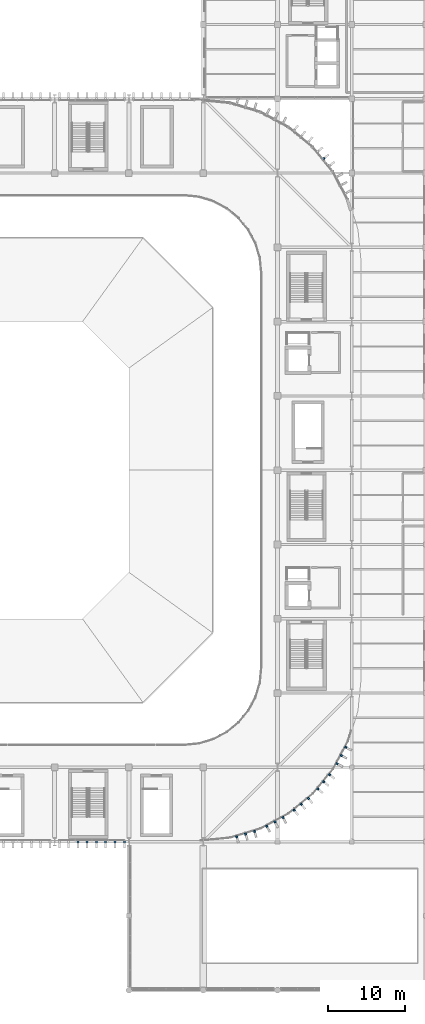
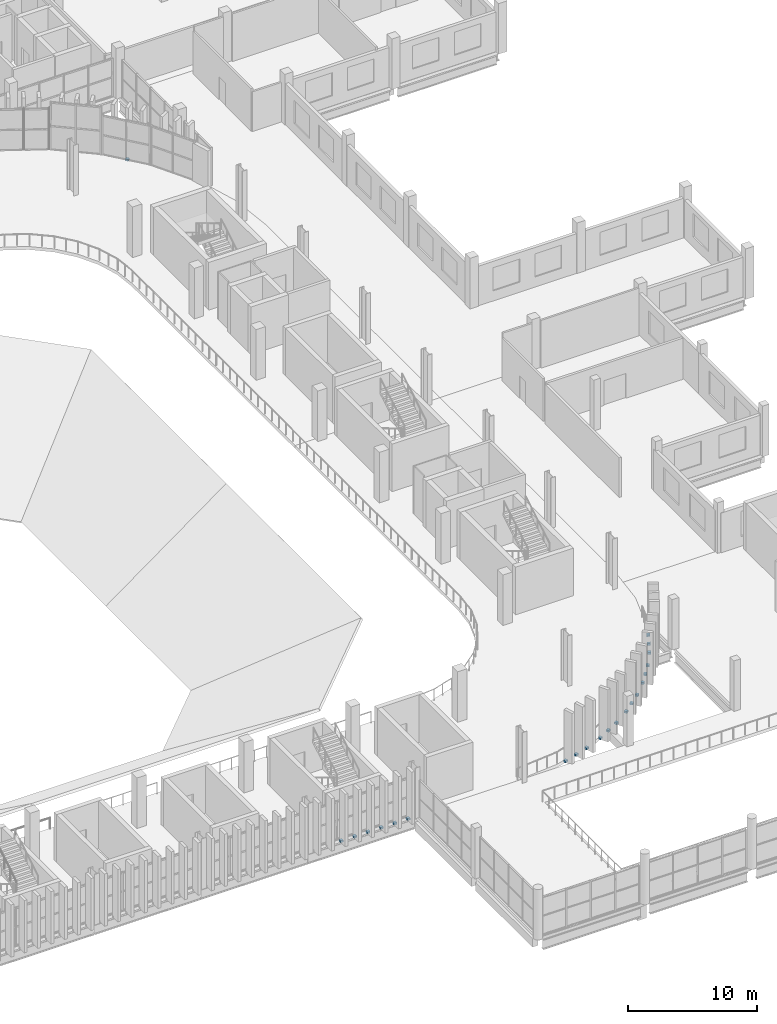
# One storey, part 76 of 99: 22 discrete accessories.
"""IFC4 building model written with IfcOpenShell, lengths in metres."""

from ifc_helpers import new_model, si_unit, direction, frame, origin, origin_2d, place, context, subcontext, project, spatial, rectangle, extrude, material, type_object, element, save


model = new_model("IFC4")

# Units and contexts
model_context = context("Model", 3, precision=1e-05, world=origin(), true_north=direction((0.0, 1.0)))
body_context = subcontext(model_context, "Body", "Model", "MODEL_VIEW")
ifc_project = project(units=[si_unit("LENGTHUNIT", "METRE"), si_unit("AREAUNIT", "SQUARE_METRE"), si_unit("VOLUMEUNIT", "CUBIC_METRE"), si_unit("PLANEANGLEUNIT", "RADIAN"), si_unit("MASSUNIT", "GRAM", prefix="KILO")], contexts=[model_context])

# Site, building, storey
site_placement = place(None, origin())
site = spatial("IfcSite", under=ifc_project, at=site_placement, CompositionType="ELEMENT")
building_placement = place(site_placement, origin())
building = spatial("IfcBuilding", under=site, at=building_placement, Name="Caelomonte Colonnade Arena", CompositionType="ELEMENT")
storey_placement = place(building_placement, frame((0.0, 0.0, 4.800048828125)))
storey = spatial("IfcBuildingStorey", under=building, at=storey_placement, Name="L01", CompositionType="ELEMENT", Elevation=4.800048828125)

# Discrete accessories
ifc_material = material(Name="Steel ASTM A572 Grade 50", Category="steel")
discrete_accessory_type = type_object("IfcDiscreteAccessoryType", Name="ENV-ACC-BRK", PredefinedType="BRACKET", material=ifc_material)
for number, where, z_axis, x_axis, name in (
    (1, (148.326904296875, 19.823974609375, -0.2099609375), (0.0, 0.0, 1.0), (0.956942868907, 0.290276326364, 0.0), "V1 L01 fin support bracket 4"),
    (2, (149.475341796875, 20.17236328125, -0.2099609375), (0.0, 0.0, 1.0), (0.956942868907, 0.290276326364, 0.0), "V1 L01 fin support bracket 5"),
    (3, (150.623779296875, 20.5205078125, -0.2099609375), (0.0, 0.0, 1.0), (0.956942868907, 0.290276326364, 0.0), "V1 L01 fin support bracket 6"),
    (4, (152.20751953125, 21.1767578125, -0.2099609375), (0.0, 0.0, 1.0), (0.881921264348, 0.471396736826, 0.0), "V1 L01 fin support bracket 7"),
    (5, (153.265869140625, 21.7421875, -0.2099609375), (0.0, 0.0, 1.0), (0.881921264348, 0.471396736826, 0.0), "V1 L01 fin support bracket 8"),
    (6, (154.32421875, 22.30810546875, -0.2099609375), (0.0, 0.0, 1.0), (0.881921264348, 0.471396736826, 0.0), "V1 L01 fin support bracket 9"),
    (7, (155.74951171875, 23.260498046875, -0.2099609375), (0.0, 0.0, 1.0), (0.77299384472, 0.634413521313, 0.0), "V1 L01 fin support bracket 10"),
    (8, (156.677001953125, 24.021728515625, -0.2099609375), (0.0, 0.0, 1.0), (0.77299384472, 0.634413521313, 0.0), "V1 L01 fin support bracket 11"),
    (9, (157.604736328125, 24.783203125, -0.2099609375), (0.0, 0.0, 1.0), (0.77299384472, 0.634413521313, 0.0), "V1 L01 fin support bracket 12"),
    (10, (158.81689453125, 25.995361328125, -0.2099609375), (0.0, 0.0, 1.0), (0.634413521313, 0.77299384472, 0.0), "V1 L01 fin support bracket 13"),
    (11, (159.578125, 26.9228515625, -0.2099609375), (0.0, 0.0, 1.0), (0.634413521313, 0.77299384472, 0.0), "V1 L01 fin support bracket 14"),
    (12, (160.339599609375, 27.8505859375, -0.2099609375), (0.0, 0.0, 1.0), (0.634413521313, 0.77299384472, 0.0), "V1 L01 fin support bracket 15"),
    (13, (161.2919921875, 29.27587890625, -0.2099609375), (0.0, 0.0, 1.0), (0.471396736826, 0.881921264348, 0.0), "V1 L01 fin support bracket 16"),
    (14, (161.857666015625, 30.334228515625, -0.2099609375), (0.0, 0.0, 1.0), (0.471396736826, 0.881921264348, 0.0), "V1 L01 fin support bracket 17"),
    (15, (162.42333984375, 31.392578125, -0.2099609375), (0.0, 0.0, 1.0), (0.471396736826, 0.881921264348, 0.0), "V1 L01 fin support bracket 18"),
    (16, (159.578125, 107.47705078125, -0.2099609375), (0.0, 0.0, 1.0), (-0.634413521313, 0.77299384472, 0.0), "V1 L01 fin support bracket 79"),
    (17, (127.800048828125, 19.169921875, -0.2099609375), (0.0, 0.0, 1.0), (1.0, 0.0, 0.0), "V1 L01 fin support bracket 280"),
    (18, (129.0, 19.169921875, -0.2099609375), (0.0, 0.0, 1.0), (1.0, 0.0, 0.0), "V1 L01 fin support bracket 281"),
    (19, (130.199951171875, 19.169921875, -0.2099609375), (0.0, 0.0, 1.0), (1.0, 0.0, 0.0), "V1 L01 fin support bracket 282"),
    (20, (131.39990234375, 19.169921875, -0.2099609375), (0.0, 0.0, 1.0), (1.0, 0.0, 0.0), "V1 L01 fin support bracket 283"),
    (21, (132.60009765625, 19.169921875, -0.2099609375), (0.0, 0.0, 1.0), (1.0, 0.0, 0.0), "V1 L01 fin support bracket 284"),
    (22, (133.800048828125, 19.169921875, -0.2099609375), (0.0, 0.0, 1.0), (1.0, 0.0, 0.0), "V1 L01 fin support bracket 285"),
):
    element("IfcDiscreteAccessory", number, at=place(storey_placement, frame(where, z_axis=z_axis, x_axis=x_axis)), inside=storey, type_object=discrete_accessory_type, Name=name, PredefinedType="BRACKET", context=body_context, shape_type="SweptSolid", body=[
        extrude(rectangle(XDim=0.260009765625, YDim=0.260009765625, at=origin_2d()), origin(), (0.0, 0.0, 1.0), 0.179931640625),
    ])

save(model, "model.ifc")
